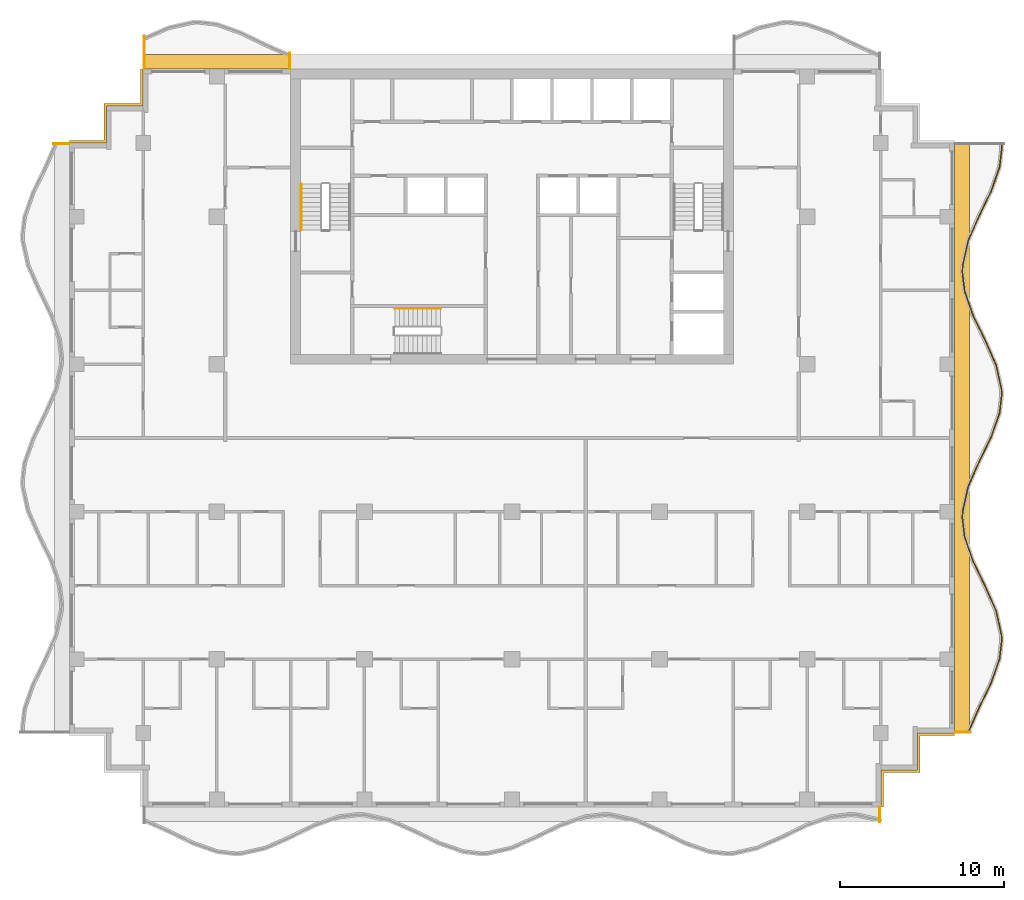
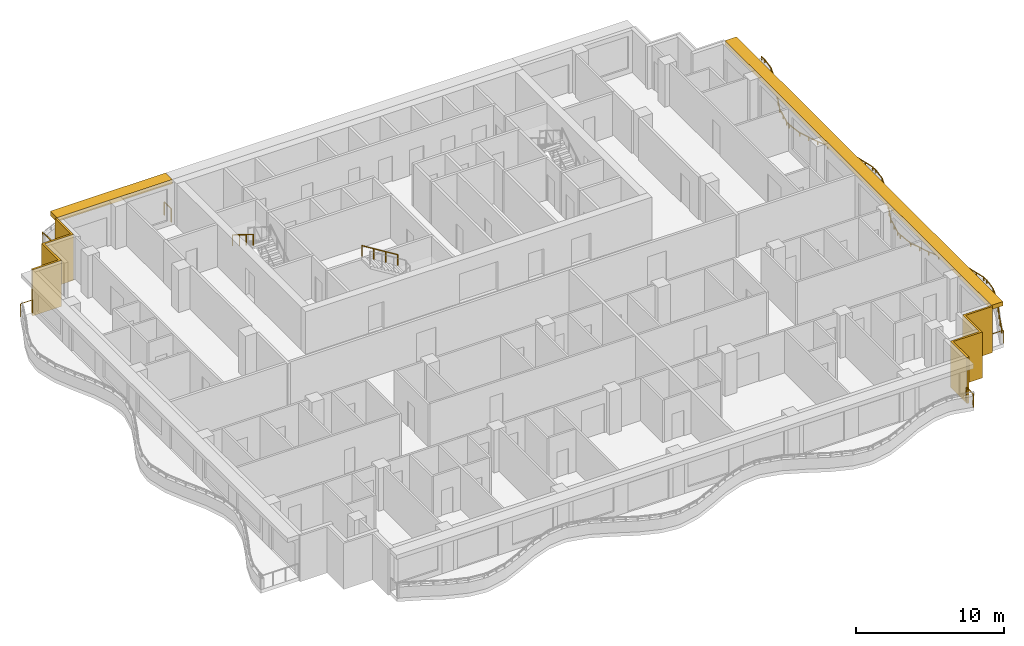
# One storey, part 10 of 11: 8 railings, 4 shading devices.
"""IFC4 building model written with IfcOpenShell, lengths in metres."""

from ifc_helpers import new_model, si_unit, direction, frame, origin, origin_2d, place, context, subcontext, project, spatial, polyline, rectangle, circle, outline, extrude, material, layer, layer_set, type_object, element, save


model = new_model("IFC4")

# Units and contexts
model_context = context("Model", 3, precision=1e-05, world=origin(), true_north=direction((0.0, 1.0)))
body_context = subcontext(model_context, "Body", "Model", "MODEL_VIEW")
ifc_project = project(units=[si_unit("LENGTHUNIT", "METRE"), si_unit("AREAUNIT", "SQUARE_METRE"), si_unit("VOLUMEUNIT", "CUBIC_METRE"), si_unit("PLANEANGLEUNIT", "RADIAN"), si_unit("MASSUNIT", "GRAM", prefix="KILO")], contexts=[model_context])

# Site, building, storey
site_placement = place(None, origin())
site = spatial("IfcSite", under=ifc_project, at=site_placement, CompositionType="ELEMENT")
building_placement = place(site_placement, origin())
building = spatial("IfcBuilding", under=site, at=building_placement, Name="Orbiselva Terraces", CompositionType="ELEMENT")
storey_placement = place(building_placement, frame((0.0, 0.0, 269.2)))
storey = spatial("IfcBuildingStorey", under=building, at=storey_placement, Name="L68", CompositionType="ELEMENT", Elevation=269.2)

# Railings
ifc_material_1 = material(Name="Stainless steel", Category="steel")
railing_type_1 = type_object("IfcRailingType", Name="CORE-HANDRAIL-900", PredefinedType="HANDRAIL", material=ifc_material_1)
railing_1_placement = place(storey_placement, frame((-12.85, 15.5, 2.072727)))
element("IfcRailing", 1, at=railing_1_placement, inside=storey, type_object=railing_type_1, Name="L68 S1 stair handrail 2", PredefinedType="HANDRAIL", context=body_context, shape_type="SweptSolid", body=[
    extrude(circle(Radius=0.024, at=origin_2d()), frame((0.0, 0.0, 0.876), z_axis=(0.0, -0.851088519012, 0.52502222125), x_axis=(1.0, 0.0, 0.0)), (0.0, 0.0, 1.0), 3.289905),
    extrude(circle(Radius=0.021, at=origin_2d()), origin(), (0.0, 0.0, 1.0), 0.852),
    extrude(circle(Radius=0.021, at=origin_2d()), frame((0.0, -0.933333, 0.575758)), (0.0, 0.0, 1.0), 0.852),
    extrude(circle(Radius=0.021, at=origin_2d()), frame((0.0, -1.866667, 1.151515)), (0.0, 0.0, 1.0), 0.852),
    extrude(circle(Radius=0.021, at=origin_2d()), frame((0.0, -2.8, 1.727273)), (0.0, 0.0, 1.0), 0.852),
])
railing_2_placement = place(storey_placement, frame((-4.35, 7.9, 2.072727)))
element("IfcRailing", 2, at=railing_2_placement, inside=storey, type_object=railing_type_1, Name="L68 S3 stair handrail 2", PredefinedType="HANDRAIL", context=body_context, shape_type="SweptSolid", body=[
    extrude(circle(Radius=0.024, at=origin_2d()), frame((0.0, 0.0, 0.876), z_axis=(-0.851088519012, 0.0, 0.52502222125), x_axis=(0.0, -1.0, 0.0)), (0.0, 0.0, 1.0), 3.289905),
    extrude(circle(Radius=0.021, at=origin_2d()), origin(), (0.0, 0.0, 1.0), 0.852),
    extrude(circle(Radius=0.021, at=origin_2d()), frame((-0.933333, 0.0, 0.575758)), (0.0, 0.0, 1.0), 0.852),
    extrude(circle(Radius=0.021, at=origin_2d()), frame((-1.866667, 0.0, 1.151515)), (0.0, 0.0, 1.0), 0.852),
    extrude(circle(Radius=0.021, at=origin_2d()), frame((-2.8, 0.0, 1.727273)), (0.0, 0.0, 1.0), 0.852),
])
ifc_material_2 = material(Name="Bonded two-ply safety glass balustrade, stainless steel posts", Category="steel")
railing_type_2 = type_object("IfcRailingType", Name="ENV-BALUSTRADE-1200", PredefinedType="BALUSTRADE", material=ifc_material_2)
railing_3_placement = place(storey_placement, frame((27.83708, -17.949606, 0.9)))
element("IfcRailing", 3, at=railing_3_placement, inside=storey, type_object=railing_type_2, Name="Balcony balustrade L68 E", PredefinedType="BALUSTRADE", context=body_context, shape_type="SweptSolid", body=[
    extrude(outline(polyline([(0.028868, 0.0), (0.014434, 0.025), (-0.014434, 0.025), (-0.028868, 0.0), (-0.014434, -0.025), (0.014434, -0.025), (0.028868, 0.0)])), frame((0.0, 0.0, 0.275), z_axis=(0.403151175476, 0.915133394491, 0.0), x_axis=(-0.915133394491, 0.403151175476, 0.0)), (0.0, 0.0, 1.0), 1.641563),
    extrude(outline(polyline([(0.028868, 0.0), (0.014434, 0.025), (-0.014434, 0.025), (-0.028868, 0.0), (-0.014434, -0.025), (0.014434, -0.025), (0.028868, 0.0)])), frame((0.661798, 1.502249, 0.275), z_axis=(0.438811978768, 0.89857890432, 0.0), x_axis=(-0.89857890432, 0.438811978768, 0.0)), (0.0, 0.0, 1.0), 1.66438),
    extrude(outline(polyline([(0.028868, 0.0), (0.014434, 0.025), (-0.014434, 0.025), (-0.028868, 0.0), (-0.014434, -0.025), (0.014434, -0.025), (0.028868, 0.0)])), frame((1.392148, 2.997826, 0.275), z_axis=(0.330024754707, 0.943972277814, 0.0), x_axis=(-0.943972277814, 0.330024754707, 0.0)), (0.0, 0.0, 1.0), 1.567807),
    extrude(outline(polyline([(0.028868, 0.0), (0.014434, 0.025), (-0.014434, 0.025), (-0.028868, 0.0), (-0.014434, -0.025), (0.014434, -0.025), (0.028868, 0.0)])), frame((1.909563, 4.477792, 0.275), z_axis=(0.115481264762, 0.993309658409, 0.0), x_axis=(-0.993309658409, 0.115481264762, 0.0)), (0.0, 0.0, 1.0), 1.10902),
    extrude(outline(polyline([(0.028868, 0.0), (0.014434, 0.025), (-0.014434, 0.025), (-0.028868, 0.0), (-0.014434, -0.025), (0.014434, -0.025), (0.028868, 0.0)])), frame((2.037634, 5.579392, 0.275), z_axis=(-0.039364150694, 0.999224931454, 0.0), x_axis=(-0.999224931454, -0.039364150694, 0.0)), (0.0, 0.0, 1.0), 0.354206),
    extrude(outline(polyline([(0.028868, 0.0), (0.014434, 0.025), (-0.014434, 0.025), (-0.028868, 0.0), (-0.014434, -0.025), (0.014434, -0.025), (0.028868, 0.0)])), frame((2.023691, 5.933323, 0.275), z_axis=(-0.219015740235, 0.975721325753, 0.0), x_axis=(-0.975721325753, -0.219015740235, 0.0)), (0.0, 0.0, 1.0), 1.513782),
    extrude(outline(polyline([(0.028868, 0.0), (0.014434, 0.025), (-0.014434, 0.025), (-0.028868, 0.0), (-0.014434, -0.025), (0.014434, -0.025), (0.028868, 0.0)])), frame((1.692149, 7.410352, 0.275), z_axis=(-0.403151245402, 0.915133363686, 0.0), x_axis=(-0.915133363686, -0.403151245402, 0.0)), (0.0, 0.0, 1.0), 1.624475),
    extrude(outline(polyline([(0.028868, 0.0), (0.014434, 0.025), (-0.014434, 0.025), (-0.028868, 0.0), (-0.014434, -0.025), (0.014434, -0.025), (0.028868, 0.0)])), frame((1.03724, 8.896963, 0.275), z_axis=(-0.438812048596, 0.898578870221, 0.0), x_axis=(-0.898578870221, -0.438812048596, 0.0)), (0.0, 0.0, 1.0), 1.674225),
    extrude(outline(polyline([(0.028868, 0.0), (0.014434, 0.025), (-0.014434, 0.025), (-0.028868, 0.0), (-0.014434, -0.025), (0.014434, -0.025), (0.028868, 0.0)])), frame((0.30257, 10.401386, 0.275), z_axis=(-0.330024597479, 0.943972332783, 0.0), x_axis=(-0.943972332783, -0.330024597479, 0.0)), (0.0, 0.0, 1.0), 1.610253),
    extrude(outline(polyline([(0.028868, 0.0), (0.014434, 0.025), (-0.014434, 0.025), (-0.028868, 0.0), (-0.014434, -0.025), (0.014434, -0.025), (0.028868, 0.0)])), frame((-0.228853, 11.92142, 0.275), z_axis=(-0.115482182324, 0.993309551734, 0.0), x_axis=(-0.993309551734, -0.115482182324, 0.0)), (0.0, 0.0, 1.0), 1.156135),
    extrude(outline(polyline([(0.028868, 0.0), (0.014434, 0.025), (-0.014434, 0.025), (-0.028868, 0.0), (-0.014434, -0.025), (0.014434, -0.025), (0.028868, 0.0)])), frame((-0.362366, 13.06982, 0.275), z_axis=(0.03936915532, 0.999224734286, 0.0), x_axis=(-0.999224734286, 0.03936915532, 0.0)), (0.0, 0.0, 1.0), 0.396376),
    extrude(outline(polyline([(0.028868, 0.0), (0.014434, 0.025), (-0.014434, 0.025), (-0.028868, 0.0), (-0.014434, -0.025), (0.014434, -0.025), (0.028868, 0.0)])), frame((-0.346761, 13.465889, 0.275), z_axis=(0.219015500924, 0.97572137947, 0.0), x_axis=(-0.97572137947, 0.219015500924, 0.0)), (0.0, 0.0, 1.0), 1.560867),
    extrude(outline(polyline([(0.028868, 0.0), (0.014434, 0.025), (-0.014434, 0.025), (-0.028868, 0.0), (-0.014434, -0.025), (0.014434, -0.025), (0.028868, 0.0)])), frame((-0.004907, 14.98886, 0.275), z_axis=(0.403150874148, 0.915133527237, 0.0), x_axis=(-0.915133527237, 0.403150874148, 0.0)), (0.0, 0.0, 1.0), 1.653736),
    extrude(outline(polyline([(0.028868, 0.0), (0.014434, 0.025), (-0.014434, 0.025), (-0.028868, 0.0), (-0.014434, -0.025), (0.014434, -0.025), (0.028868, 0.0)])), frame((0.661798, 16.502249, 0.275), z_axis=(0.438811978768, 0.89857890432, 0.0), x_axis=(-0.89857890432, 0.438811978768, 0.0)), (0.0, 0.0, 1.0), 1.66438),
    extrude(outline(polyline([(0.028868, 0.0), (0.014434, 0.025), (-0.014434, 0.025), (-0.028868, 0.0), (-0.014434, -0.025), (0.014434, -0.025), (0.028868, 0.0)])), frame((1.392148, 17.997826, 0.275), z_axis=(0.330024754707, 0.943972277814, 0.0), x_axis=(-0.943972277814, 0.330024754707, 0.0)), (0.0, 0.0, 1.0), 1.567807),
    extrude(outline(polyline([(0.028868, 0.0), (0.014434, 0.025), (-0.014434, 0.025), (-0.028868, 0.0), (-0.014434, -0.025), (0.014434, -0.025), (0.028868, 0.0)])), frame((1.909563, 19.477792, 0.275), z_axis=(0.115481264762, 0.993309658409, 0.0), x_axis=(-0.993309658409, 0.115481264762, 0.0)), (0.0, 0.0, 1.0), 1.10902),
    extrude(outline(polyline([(0.028868, 0.0), (0.014434, 0.025), (-0.014434, 0.025), (-0.028868, 0.0), (-0.014434, -0.025), (0.014434, -0.025), (0.028868, 0.0)])), frame((2.037634, 20.579392, 0.275), z_axis=(-0.039364150694, 0.999224931454, 0.0), x_axis=(-0.999224931454, -0.039364150694, 0.0)), (0.0, 0.0, 1.0), 0.354206),
    extrude(outline(polyline([(0.028868, 0.0), (0.014434, 0.025), (-0.014434, 0.025), (-0.028868, 0.0), (-0.014434, -0.025), (0.014434, -0.025), (0.028868, 0.0)])), frame((2.023691, 20.933323, 0.275), z_axis=(-0.219015740235, 0.975721325753, 0.0), x_axis=(-0.975721325753, -0.219015740235, 0.0)), (0.0, 0.0, 1.0), 1.513782),
    extrude(outline(polyline([(0.028868, 0.0), (0.014434, 0.025), (-0.014434, 0.025), (-0.028868, 0.0), (-0.014434, -0.025), (0.014434, -0.025), (0.028868, 0.0)])), frame((1.692149, 22.410352, 0.275), z_axis=(-0.403151245402, 0.915133363686, 0.0), x_axis=(-0.915133363686, -0.403151245402, 0.0)), (0.0, 0.0, 1.0), 1.624475),
    extrude(outline(polyline([(0.028868, 0.0), (0.014434, 0.025), (-0.014434, 0.025), (-0.028868, 0.0), (-0.014434, -0.025), (0.014434, -0.025), (0.028868, 0.0)])), frame((1.03724, 23.896963, 0.275), z_axis=(-0.438812048596, 0.898578870221, 0.0), x_axis=(-0.898578870221, -0.438812048596, 0.0)), (0.0, 0.0, 1.0), 1.674225),
    extrude(outline(polyline([(0.028868, 0.0), (0.014434, 0.025), (-0.014434, 0.025), (-0.028868, 0.0), (-0.014434, -0.025), (0.014434, -0.025), (0.028868, 0.0)])), frame((0.30257, 25.401386, 0.275), z_axis=(-0.330024597479, 0.943972332783, 0.0), x_axis=(-0.943972332783, -0.330024597479, 0.0)), (0.0, 0.0, 1.0), 1.610253),
    extrude(outline(polyline([(0.028868, 0.0), (0.014434, 0.025), (-0.014434, 0.025), (-0.028868, 0.0), (-0.014434, -0.025), (0.014434, -0.025), (0.028868, 0.0)])), frame((-0.228853, 26.92142, 0.275), z_axis=(-0.115482182324, 0.993309551734, 0.0), x_axis=(-0.993309551734, -0.115482182324, 0.0)), (0.0, 0.0, 1.0), 1.156135),
    extrude(outline(polyline([(0.028868, 0.0), (0.014434, 0.025), (-0.014434, 0.025), (-0.028868, 0.0), (-0.014434, -0.025), (0.014434, -0.025), (0.028868, 0.0)])), frame((-0.362366, 28.06982, 0.275), z_axis=(0.03936915532, 0.999224734286, 0.0), x_axis=(-0.999224734286, 0.03936915532, 0.0)), (0.0, 0.0, 1.0), 0.396376),
    extrude(outline(polyline([(0.028868, 0.0), (0.014434, 0.025), (-0.014434, 0.025), (-0.028868, 0.0), (-0.014434, -0.025), (0.014434, -0.025), (0.028868, 0.0)])), frame((-0.346761, 28.465889, 0.275), z_axis=(0.219015500924, 0.97572137947, 0.0), x_axis=(-0.97572137947, 0.219015500924, 0.0)), (0.0, 0.0, 1.0), 1.560867),
    extrude(outline(polyline([(0.028868, 0.0), (0.014434, 0.025), (-0.014434, 0.025), (-0.028868, 0.0), (-0.014434, -0.025), (0.014434, -0.025), (0.028868, 0.0)])), frame((-0.004907, 29.98886, 0.275), z_axis=(0.403150874148, 0.915133527237, 0.0), x_axis=(-0.915133527237, 0.403150874148, 0.0)), (0.0, 0.0, 1.0), 1.653736),
    extrude(outline(polyline([(0.028868, 0.0), (0.014434, 0.025), (-0.014434, 0.025), (-0.028868, 0.0), (-0.014434, -0.025), (0.014434, -0.025), (0.028868, 0.0)])), frame((0.661798, 31.502249, 0.275), z_axis=(0.438811978768, 0.89857890432, 0.0), x_axis=(-0.89857890432, 0.438811978768, 0.0)), (0.0, 0.0, 1.0), 1.66438),
    extrude(outline(polyline([(0.028868, 0.0), (0.014434, 0.025), (-0.014434, 0.025), (-0.028868, 0.0), (-0.014434, -0.025), (0.014434, -0.025), (0.028868, 0.0)])), frame((1.392148, 32.997826, 0.275), z_axis=(0.330024754707, 0.943972277814, 0.0), x_axis=(-0.943972277814, 0.330024754707, 0.0)), (0.0, 0.0, 1.0), 1.567807),
    extrude(outline(polyline([(0.028868, 0.0), (0.014434, 0.025), (-0.014434, 0.025), (-0.028868, 0.0), (-0.014434, -0.025), (0.014434, -0.025), (0.028868, 0.0)])), frame((1.909563, 34.477792, 0.275), z_axis=(0.115481264762, 0.993309658409, 0.0), x_axis=(-0.993309658409, 0.115481264762, 0.0)), (0.0, 0.0, 1.0), 1.10902),
    extrude(outline(polyline([(0.028868, 0.0), (0.014434, 0.025), (-0.014434, 0.025), (-0.028868, 0.0), (-0.014434, -0.025), (0.014434, -0.025), (0.028868, 0.0)])), frame((2.037634, 35.579392, 0.275), z_axis=(-0.039365236599, 0.999224888675, 0.0), x_axis=(-0.999224888675, -0.039365236599, 0.0)), (0.0, 0.0, 1.0), 0.365576),
    extrude(rectangle(XDim=0.05, YDim=0.05, at=origin_2d()), origin(), (0.0, 0.0, 1.0), 0.25),
    extrude(rectangle(XDim=0.05, YDim=0.05, at=origin_2d()), frame((0.330899, 0.751124, 0.0)), (0.0, 0.0, 1.0), 0.25),
    extrude(rectangle(XDim=0.05, YDim=0.05, at=origin_2d()), frame((0.661798, 1.502249, 0.0)), (0.0, 0.0, 1.0), 0.25),
    extrude(rectangle(XDim=0.05, YDim=0.05, at=origin_2d()), frame((1.026973, 2.250037, 0.0)), (0.0, 0.0, 1.0), 0.25),
    extrude(rectangle(XDim=0.05, YDim=0.05, at=origin_2d()), frame((1.392148, 2.997826, 0.0)), (0.0, 0.0, 1.0), 0.25),
    extrude(rectangle(XDim=0.05, YDim=0.05, at=origin_2d()), frame((1.650855, 3.737809, 0.0)), (0.0, 0.0, 1.0), 0.25),
    extrude(rectangle(XDim=0.05, YDim=0.05, at=origin_2d()), frame((1.909563, 4.477792, 0.0)), (0.0, 0.0, 1.0), 0.25),
    extrude(rectangle(XDim=0.05, YDim=0.05, at=origin_2d()), frame((2.037634, 5.579392, 0.0)), (0.0, 0.0, 1.0), 0.25),
    extrude(rectangle(XDim=0.05, YDim=0.05, at=origin_2d()), frame((2.023691, 5.933323, 0.0)), (0.0, 0.0, 1.0), 0.25),
    extrude(rectangle(XDim=0.05, YDim=0.05, at=origin_2d()), frame((1.85792, 6.671838, 0.0)), (0.0, 0.0, 1.0), 0.25),
    extrude(rectangle(XDim=0.05, YDim=0.05, at=origin_2d()), frame((1.692149, 7.410352, 0.0)), (0.0, 0.0, 1.0), 0.25),
    extrude(rectangle(XDim=0.05, YDim=0.05, at=origin_2d()), frame((1.364695, 8.153658, 0.0)), (0.0, 0.0, 1.0), 0.25),
    extrude(rectangle(XDim=0.05, YDim=0.05, at=origin_2d()), frame((1.03724, 8.896963, 0.0)), (0.0, 0.0, 1.0), 0.25),
    extrude(rectangle(XDim=0.05, YDim=0.05, at=origin_2d()), frame((0.669905, 9.649174, 0.0)), (0.0, 0.0, 1.0), 0.25),
    extrude(rectangle(XDim=0.05, YDim=0.05, at=origin_2d()), frame((0.30257, 10.401386, 0.0)), (0.0, 0.0, 1.0), 0.25),
    extrude(rectangle(XDim=0.05, YDim=0.05, at=origin_2d()), frame((0.036858, 11.161403, 0.0)), (0.0, 0.0, 1.0), 0.25),
    extrude(rectangle(XDim=0.05, YDim=0.05, at=origin_2d()), frame((-0.228853, 11.92142, 0.0)), (0.0, 0.0, 1.0), 0.25),
    extrude(rectangle(XDim=0.05, YDim=0.05, at=origin_2d()), frame((-0.362366, 13.06982, 0.0)), (0.0, 0.0, 1.0), 0.25),
    extrude(rectangle(XDim=0.05, YDim=0.05, at=origin_2d()), frame((-0.346761, 13.465889, 0.0)), (0.0, 0.0, 1.0), 0.25),
    extrude(rectangle(XDim=0.05, YDim=0.05, at=origin_2d()), frame((-0.175834, 14.227374, 0.0)), (0.0, 0.0, 1.0), 0.25),
    extrude(rectangle(XDim=0.05, YDim=0.05, at=origin_2d()), frame((-0.004907, 14.98886, 0.0)), (0.0, 0.0, 1.0), 0.25),
    extrude(rectangle(XDim=0.05, YDim=0.05, at=origin_2d()), frame((0.328446, 15.745554, 0.0)), (0.0, 0.0, 1.0), 0.25),
    extrude(rectangle(XDim=0.05, YDim=0.05, at=origin_2d()), frame((0.661798, 16.502249, 0.0)), (0.0, 0.0, 1.0), 0.25),
    extrude(rectangle(XDim=0.05, YDim=0.05, at=origin_2d()), frame((1.026973, 17.250037, 0.0)), (0.0, 0.0, 1.0), 0.25),
    extrude(rectangle(XDim=0.05, YDim=0.05, at=origin_2d()), frame((1.392148, 17.997826, 0.0)), (0.0, 0.0, 1.0), 0.25),
    extrude(rectangle(XDim=0.05, YDim=0.05, at=origin_2d()), frame((1.650855, 18.737809, 0.0)), (0.0, 0.0, 1.0), 0.25),
    extrude(rectangle(XDim=0.05, YDim=0.05, at=origin_2d()), frame((1.909563, 19.477792, 0.0)), (0.0, 0.0, 1.0), 0.25),
    extrude(rectangle(XDim=0.05, YDim=0.05, at=origin_2d()), frame((2.037634, 20.579392, 0.0)), (0.0, 0.0, 1.0), 0.25),
    extrude(rectangle(XDim=0.05, YDim=0.05, at=origin_2d()), frame((2.023691, 20.933323, 0.0)), (0.0, 0.0, 1.0), 0.25),
    extrude(rectangle(XDim=0.05, YDim=0.05, at=origin_2d()), frame((1.85792, 21.671838, 0.0)), (0.0, 0.0, 1.0), 0.25),
    extrude(rectangle(XDim=0.05, YDim=0.05, at=origin_2d()), frame((1.692149, 22.410352, 0.0)), (0.0, 0.0, 1.0), 0.25),
    extrude(rectangle(XDim=0.05, YDim=0.05, at=origin_2d()), frame((1.364695, 23.153658, 0.0)), (0.0, 0.0, 1.0), 0.25),
    extrude(rectangle(XDim=0.05, YDim=0.05, at=origin_2d()), frame((1.03724, 23.896963, 0.0)), (0.0, 0.0, 1.0), 0.25),
    extrude(rectangle(XDim=0.05, YDim=0.05, at=origin_2d()), frame((0.669905, 24.649174, 0.0)), (0.0, 0.0, 1.0), 0.25),
    extrude(rectangle(XDim=0.05, YDim=0.05, at=origin_2d()), frame((0.30257, 25.401386, 0.0)), (0.0, 0.0, 1.0), 0.25),
    extrude(rectangle(XDim=0.05, YDim=0.05, at=origin_2d()), frame((0.036858, 26.161403, 0.0)), (0.0, 0.0, 1.0), 0.25),
    extrude(rectangle(XDim=0.05, YDim=0.05, at=origin_2d()), frame((-0.228853, 26.92142, 0.0)), (0.0, 0.0, 1.0), 0.25),
    extrude(rectangle(XDim=0.05, YDim=0.05, at=origin_2d()), frame((-0.362366, 28.06982, 0.0)), (0.0, 0.0, 1.0), 0.25),
    extrude(rectangle(XDim=0.05, YDim=0.05, at=origin_2d()), frame((-0.346761, 28.465889, 0.0)), (0.0, 0.0, 1.0), 0.25),
    extrude(rectangle(XDim=0.05, YDim=0.05, at=origin_2d()), frame((-0.175834, 29.227374, 0.0)), (0.0, 0.0, 1.0), 0.25),
    extrude(rectangle(XDim=0.05, YDim=0.05, at=origin_2d()), frame((-0.004907, 29.98886, 0.0)), (0.0, 0.0, 1.0), 0.25),
    extrude(rectangle(XDim=0.05, YDim=0.05, at=origin_2d()), frame((0.328446, 30.745554, 0.0)), (0.0, 0.0, 1.0), 0.25),
    extrude(rectangle(XDim=0.05, YDim=0.05, at=origin_2d()), frame((0.661798, 31.502249, 0.0)), (0.0, 0.0, 1.0), 0.25),
    extrude(rectangle(XDim=0.05, YDim=0.05, at=origin_2d()), frame((1.026973, 32.250038, 0.0)), (0.0, 0.0, 1.0), 0.25),
    extrude(rectangle(XDim=0.05, YDim=0.05, at=origin_2d()), frame((1.392148, 32.997826, 0.0)), (0.0, 0.0, 1.0), 0.25),
    extrude(rectangle(XDim=0.05, YDim=0.05, at=origin_2d()), frame((1.650855, 33.737809, 0.0)), (0.0, 0.0, 1.0), 0.25),
    extrude(rectangle(XDim=0.05, YDim=0.05, at=origin_2d()), frame((1.909563, 34.477792, 0.0)), (0.0, 0.0, 1.0), 0.25),
    extrude(rectangle(XDim=0.05, YDim=0.05, at=origin_2d()), frame((2.037634, 35.579392, 0.0)), (0.0, 0.0, 1.0), 0.25),
    extrude(rectangle(XDim=0.05, YDim=0.05, at=origin_2d()), frame((2.023243, 35.944685, 0.0)), (0.0, 0.0, 1.0), 0.25),
])
ifc_material_3 = material(Name="Stainless steel rail and posts", Category="steel")
railing_type_3 = type_object("IfcRailingType", Name="ENV-GUARD-1105", PredefinedType="BALUSTRADE", material=ifc_material_3)
railing_4_placement = place(storey_placement, frame((22.44, -23.430416, 0.0)))
element("IfcRailing", 4, at=railing_4_placement, inside=storey, type_object=railing_type_3, Name="Balcony end guard L68 S", PredefinedType="BALUSTRADE", context=body_context, shape_type="SweptSolid", body=[
    extrude(outline(polyline([(0.028868, 0.0), (0.014434, 0.025), (-0.014434, 0.025), (-0.028868, 0.0), (-0.014434, -0.025), (0.014434, -0.025), (0.028868, 0.0)])), frame((0.0, 0.0, 1.08), z_axis=(0.0, 1.0, 0.0), x_axis=(-1.0, 0.0, 0.0)), (0.0, 0.0, 1.0), 0.905416),
    extrude(rectangle(XDim=0.05, YDim=0.05, at=origin_2d()), origin(), (0.0, 0.0, 1.0), 1.055),
    extrude(rectangle(XDim=0.05, YDim=0.05, at=origin_2d()), frame((0.0, 0.905416, 0.0)), (0.0, 0.0, 1.0), 1.055),
])
railing_5_placement = place(storey_placement, frame((27.973063, -17.94, 0.0)))
element("IfcRailing", 5, at=railing_5_placement, inside=storey, type_object=railing_type_3, Name="Balcony end guard L68 E", PredefinedType="BALUSTRADE", context=body_context, shape_type="SweptSolid", body=[
    extrude(outline(polyline([(0.028868, 0.0), (0.014434, 0.025), (-0.014434, 0.025), (-0.028868, 0.0), (-0.014434, -0.025), (0.014434, -0.025), (0.028868, 0.0)])), frame((0.0, 0.0, 1.08), z_axis=(-1.0, 0.0, 0.0), x_axis=(0.0, -1.0, 0.0)), (0.0, 0.0, 1.0), 0.948063),
    extrude(rectangle(XDim=0.05, YDim=0.05, at=origin_2d()), origin(), (0.0, 0.0, 1.0), 1.055),
    extrude(rectangle(XDim=0.05, YDim=0.05, at=origin_2d()), frame((-0.948063, 0.0, 0.0)), (0.0, 0.0, 1.0), 1.055),
])
railing_6_placement = place(storey_placement, frame((-13.56, 23.473063, 0.0)))
element("IfcRailing", 6, at=railing_6_placement, inside=storey, type_object=railing_type_3, Name="Balcony end guard L68 NW", PredefinedType="BALUSTRADE", context=body_context, shape_type="SweptSolid", body=[
    extrude(outline(polyline([(0.028868, 0.0), (0.014434, 0.025), (-0.014434, 0.025), (-0.028868, 0.0), (-0.014434, -0.025), (0.014434, -0.025), (0.028868, 0.0)])), frame((0.0, 0.0, 1.08), z_axis=(0.0, -1.0, 0.0), x_axis=(1.0, 0.0, 0.0)), (0.0, 0.0, 1.0), 0.948063),
    extrude(rectangle(XDim=0.05, YDim=0.05, at=origin_2d()), origin(), (0.0, 0.0, 1.0), 1.055),
    extrude(rectangle(XDim=0.05, YDim=0.05, at=origin_2d()), frame((0.0, -0.948063, 0.0)), (0.0, 0.0, 1.0), 1.055),
])
railing_7_placement = place(storey_placement, frame((-22.44, 24.517447, 0.0)))
element("IfcRailing", 7, at=railing_7_placement, inside=storey, type_object=railing_type_3, Name="Balcony end guard L68 NW", PredefinedType="BALUSTRADE", context=body_context, shape_type="SweptSolid", body=[
    extrude(outline(polyline([(0.028868, 0.0), (0.014434, 0.025), (-0.014434, 0.025), (-0.028868, 0.0), (-0.014434, -0.025), (0.014434, -0.025), (0.028868, 0.0)])), frame((0.0, 0.0, 1.08), z_axis=(0.0, -1.0, 0.0), x_axis=(1.0, 0.0, 0.0)), (0.0, 0.0, 1.0), 1.992447),
    extrude(rectangle(XDim=0.05, YDim=0.05, at=origin_2d()), origin(), (0.0, 0.0, 1.0), 1.055),
    extrude(rectangle(XDim=0.05, YDim=0.05, at=origin_2d()), frame((0.0, -0.996224, 0.0)), (0.0, 0.0, 1.0), 1.055),
    extrude(rectangle(XDim=0.05, YDim=0.05, at=origin_2d()), frame((0.0, -1.992447, 0.0)), (0.0, 0.0, 1.0), 1.055),
])
railing_8_placement = place(storey_placement, frame((-27.973063, 17.94, 0.0)))
element("IfcRailing", 8, at=railing_8_placement, inside=storey, type_object=railing_type_3, Name="Balcony end guard L68 W", PredefinedType="BALUSTRADE", context=body_context, shape_type="SweptSolid", body=[
    extrude(outline(polyline([(0.028868, 0.0), (0.014434, 0.025), (-0.014434, 0.025), (-0.028868, 0.0), (-0.014434, -0.025), (0.014434, -0.025), (0.028868, 0.0)])), frame((0.0, 0.0, 1.08), z_axis=(1.0, 0.0, 0.0), x_axis=(0.0, 1.0, 0.0)), (0.0, 0.0, 1.0), 0.948063),
    extrude(rectangle(XDim=0.05, YDim=0.05, at=origin_2d()), origin(), (0.0, 0.0, 1.0), 1.055),
    extrude(rectangle(XDim=0.05, YDim=0.05, at=origin_2d()), frame((0.948063, 0.0, 0.0)), (0.0, 0.0, 1.0), 1.055),
])

# Shading devices
ifc_material_4 = material(Name="Terracotta louvre screen", Category="masonry")
ifc_layer_1 = layer(ifc_material_4, 0.15)
ifc_layer_set_1 = layer_set([ifc_layer_1], Name="Terracotta louvre screen")
shading_device_type_1 = type_object("IfcShadingDeviceType", Name="ENV-SCREEN-150", PredefinedType="USERDEFINED", material=ifc_layer_set_1)
shading_device_1_placement = place(storey_placement, frame((0.0, 0.0, -0.3)))
element("IfcShadingDevice", 9, at=shading_device_1_placement, inside=storey, type_object=shading_device_type_1, Name="Louvre screen L68 NW", ObjectType="SCREEN", PredefinedType="USERDEFINED", context=body_context, shape_type="SweptSolid", body=[
    extrude(outline(polyline([(-22.65, 22.5), (-22.65, 20.4), (-24.9, 20.4), (-24.9, 18.15), (-27.0, 18.15), (-27.0, 18.0), (-24.75, 18.0), (-24.75, 20.25), (-22.5, 20.25), (-22.5, 22.5), (-22.65, 22.5)])), origin(), (0.0, 0.0, 1.0), 3.8),
])
shading_device_2_placement = place(storey_placement, frame((0.0, 0.0, -0.3)))
element("IfcShadingDevice", 10, at=shading_device_2_placement, inside=storey, type_object=shading_device_type_1, Name="Louvre screen L68 SE", ObjectType="SCREEN", PredefinedType="USERDEFINED", context=body_context, shape_type="SweptSolid", body=[
    extrude(outline(polyline([(22.65, -22.5), (22.65, -20.4), (24.9, -20.4), (24.9, -18.15), (27.0, -18.15), (27.0, -18.0), (24.75, -18.0), (24.75, -20.25), (22.5, -20.25), (22.5, -22.5), (22.65, -22.5)])), origin(), (0.0, 0.0, 1.0), 3.8),
])
ifc_material_5 = material(Name="Terracotta baguette sunshade", Category="masonry")
ifc_layer_2 = layer(ifc_material_5, 0.35)
ifc_layer_set_2 = layer_set([ifc_layer_2], Name="Terracotta baguette sunshade")
shading_device_type_2 = type_object("IfcShadingDeviceType", Name="ENV-SUNSHADE-900x350", PredefinedType="USERDEFINED", material=ifc_layer_set_2)
shading_device_3_placement = place(storey_placement, frame((0.0, 0.0, 3.15)))
element("IfcShadingDevice", 11, at=shading_device_3_placement, inside=storey, type_object=shading_device_type_2, Name="Sunshade band L68 E", ObjectType="SUNSHADE", PredefinedType="USERDEFINED", context=body_context, shape_type="SweptSolid", body=[
    extrude(outline(polyline([(27.9, -18.0), (27.9, 18.0), (27.0, 18.0), (27.0, -18.0), (27.9, -18.0)])), origin(), (0.0, 0.0, 1.0), 0.35),
])
shading_device_4_placement = place(storey_placement, frame((0.0, 0.0, 3.15)))
element("IfcShadingDevice", 12, at=shading_device_4_placement, inside=storey, type_object=shading_device_type_2, Name="Sunshade band L68 NW", ObjectType="SUNSHADE", PredefinedType="USERDEFINED", context=body_context, shape_type="SweptSolid", body=[
    extrude(outline(polyline([(-13.5, 23.4), (-22.5, 23.4), (-22.5, 22.5), (-13.5, 22.5), (-13.5, 23.4)])), origin(), (0.0, 0.0, 1.0), 0.35),
])

save(model, "model.ifc")
